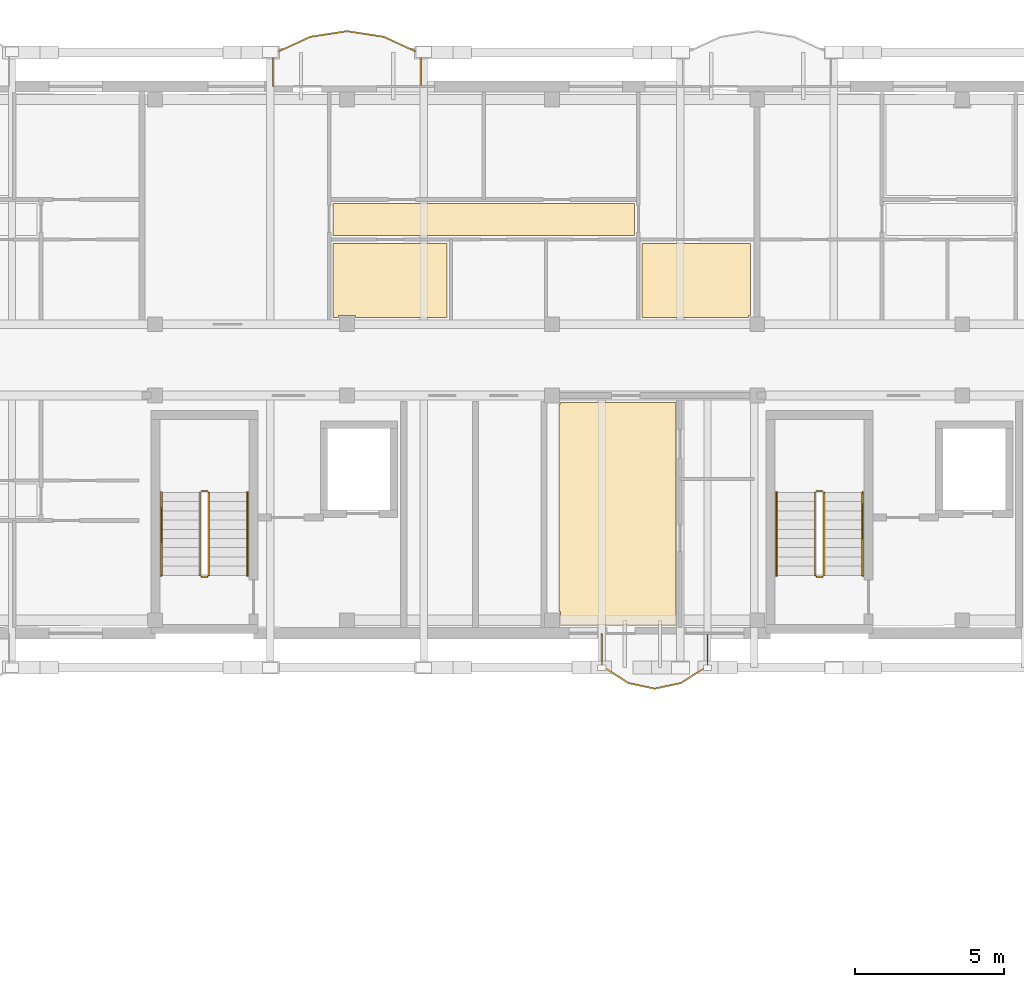
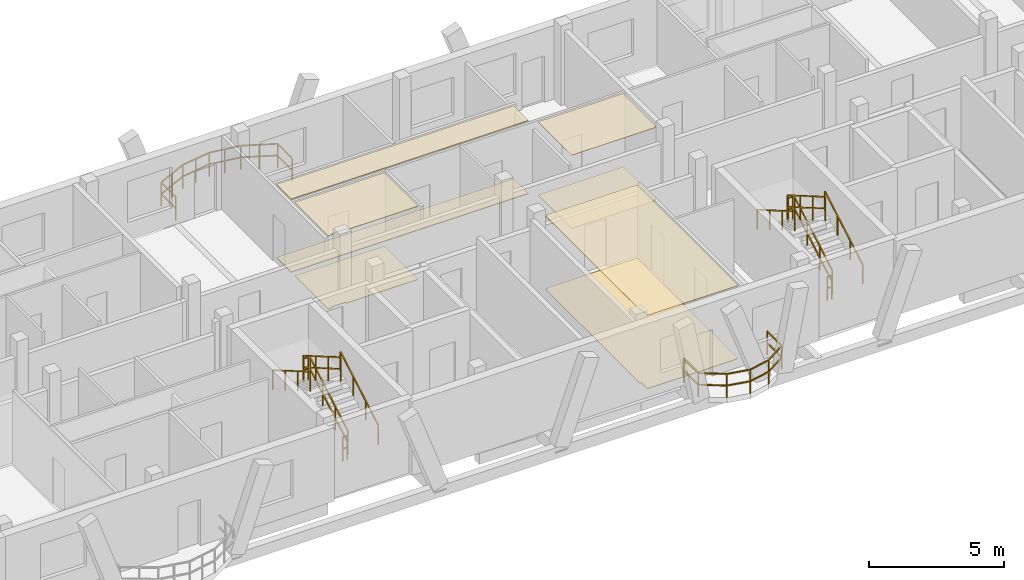
# One storey, part 188 of 189: 14 railings, 8 coverings.
"""IFC4 building model written with IfcOpenShell, lengths in metres."""

from ifc_helpers import new_model, si_unit, direction, frame, origin, origin_2d, place, context, subcontext, project, spatial, polyline, rectangle, outline, extrude, material, layer, layer_set, type_object, element, save


model = new_model("IFC4")

# Units and contexts
model_context = context("Model", 3, precision=1e-05, world=origin(), true_north=direction((0.0, 1.0)))
body_context = subcontext(model_context, "Body", "Model", "MODEL_VIEW")
ifc_project = project(units=[si_unit("LENGTHUNIT", "METRE"), si_unit("AREAUNIT", "SQUARE_METRE"), si_unit("VOLUMEUNIT", "CUBIC_METRE"), si_unit("PLANEANGLEUNIT", "RADIAN"), si_unit("MASSUNIT", "GRAM", prefix="KILO")], contexts=[model_context])

# Site, building, storey
site_placement = place(None, origin())
site = spatial("IfcSite", under=ifc_project, at=site_placement, CompositionType="ELEMENT")
building_placement = place(site_placement, origin())
building = spatial("IfcBuilding", under=site, at=building_placement, Name="Zavelmont Quarter", CompositionType="ELEMENT")
storey_placement = place(building_placement, frame((0.0, 0.0, 4.39990234375)))
storey = spatial("IfcBuildingStorey", under=building, at=storey_placement, Name="L01", CompositionType="ELEMENT", Elevation=4.39990234375)

# Coverings
ifc_material_1 = material(Name="Perforated acoustic gypsum board")
ifc_layer_1 = layer(ifc_material_1, 0.02490234375)
ifc_layer_set_1 = layer_set([ifc_layer_1], Name="Perforated acoustic gypsum board")
covering_type_1 = type_object("IfcCoveringType", Name="CV-CL01", PredefinedType="CEILING", material=ifc_layer_set_1)
covering_1_placement = place(storey_placement, frame((0.0, 0.0, 3.30517578125)))
element("IfcCovering", 1, at=covering_1_placement, inside=storey, type_object=covering_type_1, Name="L01 Kitchen acoustic ceiling", PredefinedType="CEILING", context=body_context, shape_type="SweptSolid", body=[
    extrude(outline(polyline([(133.030029296875, 110.719970703125), (136.8701171875, 110.719970703125), (136.8701171875, 108.22998046875), (133.7900390625, 108.22998046875), (133.7900390625, 108.2900390625), (133.2099609375, 108.2900390625), (133.2099609375, 108.22998046875), (133.030029296875, 108.22998046875), (133.030029296875, 110.719970703125)])), origin(), (0.0, 0.0, 1.0), 0.02490234375),
])
covering_2_placement = place(storey_placement, frame((0.0, 0.0, 3.30517578125)))
element("IfcCovering", 2, at=covering_2_placement, inside=storey, type_object=covering_type_1, Name="L01 Residents Study Lounge acoustic ceiling", PredefinedType="CEILING", context=body_context, shape_type="SweptSolid", body=[
    extrude(outline(polyline([(140.6298828125, 105.31005859375), (140.68994140625, 105.31005859375), (140.68994140625, 105.3701171875), (144.570068359375, 105.3701171875), (144.570068359375, 97.8798828125), (140.68994140625, 97.8798828125), (140.68994140625, 98.330078125), (140.6298828125, 98.330078125), (140.6298828125, 105.31005859375)])), origin(), (0.0, 0.0, 1.0), 0.02490234375),
])
ifc_material_2 = material(Name="Slatted European ash acoustic baffle ceiling")
ifc_layer_2 = layer(ifc_material_2, 0.0400390625)
ifc_layer_set_2 = layer_set([ifc_layer_2], Name="Slatted European ash acoustic baffle ceiling")
covering_type_2 = type_object("IfcCoveringType", Name="CV-CL02", PredefinedType="CEILING", material=ifc_layer_set_2)
covering_3_placement = place(storey_placement, frame((0.0, 0.0, 3.2900390625)))
element("IfcCovering", 3, at=covering_3_placement, inside=storey, type_object=covering_type_2, Name="L01 Apartment Hall acoustic ceiling", PredefinedType="CEILING", context=body_context, shape_type="SweptSolid", body=[
    extrude(outline(polyline([(133.030029296875, 112.070068359375), (143.169921875, 112.070068359375), (143.169921875, 110.97998046875), (133.030029296875, 110.97998046875), (133.030029296875, 112.070068359375)])), origin(), (0.0, 0.0, 1.0), 0.0400390625),
])
ifc_material_3 = material(Name="Moisture-resistant painted gypsum ceiling")
ifc_layer_3 = layer(ifc_material_3, 0.02001953125)
ifc_layer_set_3 = layer_set([ifc_layer_3], Name="Moisture-resistant painted gypsum ceiling")
covering_type_3 = type_object("IfcCoveringType", Name="CV-CL04", PredefinedType="CEILING", material=ifc_layer_set_3)
covering_4_placement = place(storey_placement, frame((0.0, 0.0, 3.31005859375)))
element("IfcCovering", 4, at=covering_4_placement, inside=storey, type_object=covering_type_3, Name="L01 Bathroom acoustic ceiling", PredefinedType="CEILING", context=body_context, shape_type="SweptSolid", body=[
    extrude(outline(polyline([(143.429931640625, 110.719970703125), (147.070068359375, 110.719970703125), (147.070068359375, 108.2900390625), (147.010009765625, 108.2900390625), (147.010009765625, 108.22998046875), (143.429931640625, 108.22998046875), (143.429931640625, 110.719970703125)])), origin(), (0.0, 0.0, 1.0), 0.02001953125),
])
ifc_material_4 = material(Name="Engineered European oak parquet")
ifc_layer_4 = layer(ifc_material_4, 0.02197265625)
ifc_layer_set_4 = layer_set([ifc_layer_4], Name="Engineered European oak parquet")
covering_type_4 = type_object("IfcCoveringType", Name="CV-FL01", PredefinedType="FLOORING", material=ifc_layer_set_4)
covering_5_placement = place(storey_placement, origin())
element("IfcCovering", 5, at=covering_5_placement, inside=storey, type_object=covering_type_4, Name="L01 Kitchen floor finish", PredefinedType="FLOORING", context=body_context, shape_type="SweptSolid", body=[
    extrude(outline(polyline([(133.030029296875, 110.719970703125), (136.8701171875, 110.719970703125), (136.8701171875, 108.22998046875), (133.7900390625, 108.22998046875), (133.7900390625, 108.2900390625), (133.2099609375, 108.2900390625), (133.2099609375, 108.22998046875), (133.030029296875, 108.22998046875), (133.030029296875, 110.719970703125)])), origin(), (0.0, 0.0, 1.0), 0.022216796875),
])
covering_6_placement = place(storey_placement, origin())
element("IfcCovering", 6, at=covering_6_placement, inside=storey, type_object=covering_type_4, Name="L01 Residents Study Lounge floor finish", PredefinedType="FLOORING", context=body_context, shape_type="SweptSolid", body=[
    extrude(outline(polyline([(140.6298828125, 105.31005859375), (140.68994140625, 105.31005859375), (140.68994140625, 105.3701171875), (144.570068359375, 105.3701171875), (144.570068359375, 97.8798828125), (140.68994140625, 97.8798828125), (140.68994140625, 98.330078125), (140.6298828125, 98.330078125), (140.6298828125, 105.31005859375)])), origin(), (0.0, 0.0, 1.0), 0.022216796875),
])
ifc_material_5 = material(Name="Honed Belgian bluestone tile", Category="masonry")
ifc_layer_5 = layer(ifc_material_5, 0.030029296875)
ifc_layer_set_5 = layer_set([ifc_layer_5], Name="Honed Belgian bluestone tile")
covering_type_5 = type_object("IfcCoveringType", Name="CV-FL02", PredefinedType="FLOORING", material=ifc_layer_set_5)
covering_7_placement = place(storey_placement, origin())
element("IfcCovering", 7, at=covering_7_placement, inside=storey, type_object=covering_type_5, Name="L01 Apartment Hall floor finish", PredefinedType="FLOORING", context=body_context, shape_type="SweptSolid", body=[
    extrude(outline(polyline([(133.030029296875, 112.070068359375), (143.169921875, 112.070068359375), (143.169921875, 110.97998046875), (133.030029296875, 110.97998046875), (133.030029296875, 112.070068359375)])), origin(), (0.0, 0.0, 1.0), 0.030029296875),
])
ifc_material_6 = material(Name="Slip-resistant porcelain tile")
ifc_layer_6 = layer(ifc_material_6, 0.02587890625)
ifc_layer_set_6 = layer_set([ifc_layer_6], Name="Slip-resistant porcelain tile")
covering_type_6 = type_object("IfcCoveringType", Name="CV-FL04", PredefinedType="FLOORING", material=ifc_layer_set_6)
covering_8_placement = place(storey_placement, origin())
element("IfcCovering", 8, at=covering_8_placement, inside=storey, type_object=covering_type_6, Name="L01 Bathroom floor finish", PredefinedType="FLOORING", context=body_context, shape_type="SweptSolid", body=[
    extrude(outline(polyline([(143.429931640625, 110.719970703125), (147.070068359375, 110.719970703125), (147.070068359375, 108.2900390625), (147.010009765625, 108.2900390625), (147.010009765625, 108.22998046875), (143.429931640625, 108.22998046875), (143.429931640625, 110.719970703125)])), origin(), (0.0, 0.0, 1.0), 0.026123046875),
])

# Railings
ifc_material_7 = material(Name="Powder-coated steel and tempered double safety glass", Category="steel")
railing_type_1 = type_object("IfcRailingType", Name="RL-BAL1", PredefinedType="BALUSTRADE", material=ifc_material_7)
railing_1_placement = place(storey_placement, frame((135.982177734375, 116.02001953125, 0.0)))
element("IfcRailing", 9, at=railing_1_placement, inside=storey, type_object=railing_type_1, Name="L01 Block C curved balcony guard RL-BAL1", PredefinedType="BALUSTRADE", context=body_context, shape_type="SweptSolid", body=[
    extrude(rectangle(XDim=0.048095703125, YDim=0.048095703125, at=origin_2d()), frame((0.0, 0.0, 1.076171875), z_axis=(0.0, 1.0, 0.0), x_axis=(-1.0, 0.0, 0.0)), (0.0, 0.0, 1.0), 1.080078125),
    extrude(rectangle(XDim=0.048095703125, YDim=0.048095703125, at=origin_2d()), frame((0.0, 0.0, 0.550048828125), z_axis=(0.0, 1.0, 0.0), x_axis=(-1.0, 0.0, 0.0)), (0.0, 0.0, 1.0), 1.080078125),
    extrude(rectangle(XDim=0.048095703125, YDim=0.048095703125, at=origin_2d()), frame((0.0, 1.080078125, 1.076171875), z_axis=(-0.907891412378, 0.419205419014, 0.0), x_axis=(-0.419205419014, -0.907891412378, 0.0)), (0.0, 0.0, 1.0), 1.366943359375),
    extrude(rectangle(XDim=0.048095703125, YDim=0.048095703125, at=origin_2d()), frame((0.0, 1.080078125, 0.550048828125), z_axis=(-0.907891412378, 0.419205419014, 0.0), x_axis=(-0.419205419014, -0.907891412378, 0.0)), (0.0, 0.0, 1.0), 1.366943359375),
    extrude(rectangle(XDim=0.048095703125, YDim=0.048095703125, at=origin_2d()), frame((-1.240966796875, 1.653076171875, 1.076171875), z_axis=(-0.988376192228, 0.152027966625, 0.0), x_axis=(-0.152027966625, -0.988376192228, 0.0)), (0.0, 0.0, 1.0), 1.255859375),
    extrude(rectangle(XDim=0.048095703125, YDim=0.048095703125, at=origin_2d()), frame((-1.240966796875, 1.653076171875, 0.550048828125), z_axis=(-0.988376192228, 0.152027966625, 0.0), x_axis=(-0.152027966625, -0.988376192228, 0.0)), (0.0, 0.0, 1.0), 1.255859375),
    extrude(rectangle(XDim=0.048095703125, YDim=0.048095703125, at=origin_2d()), frame((-2.482177734375, 1.843994140625, 1.076171875), z_axis=(-0.988376192228, -0.152027966625, 0.0), x_axis=(0.152027966625, -0.988376192228, 0.0)), (0.0, 0.0, 1.0), 1.255859375),
    extrude(rectangle(XDim=0.048095703125, YDim=0.048095703125, at=origin_2d()), frame((-2.482177734375, 1.843994140625, 0.550048828125), z_axis=(-0.988376192228, -0.152027966625, 0.0), x_axis=(0.152027966625, -0.988376192228, 0.0)), (0.0, 0.0, 1.0), 1.255859375),
    extrude(rectangle(XDim=0.048095703125, YDim=0.048095703125, at=origin_2d()), frame((-3.723388671875, 1.653076171875, 1.076171875), z_axis=(-0.907891412378, -0.419205419014, 0.0), x_axis=(0.419205419014, -0.907891412378, 0.0)), (0.0, 0.0, 1.0), 1.366943359375),
    extrude(rectangle(XDim=0.048095703125, YDim=0.048095703125, at=origin_2d()), frame((-3.723388671875, 1.653076171875, 0.550048828125), z_axis=(-0.907891412378, -0.419205419014, 0.0), x_axis=(0.419205419014, -0.907891412378, 0.0)), (0.0, 0.0, 1.0), 1.366943359375),
    extrude(rectangle(XDim=0.048095703125, YDim=0.048095703125, at=origin_2d()), frame((-4.96435546875, 1.080078125, 1.076171875), z_axis=(0.0, -1.0, 0.0), x_axis=(1.0, 0.0, 0.0)), (0.0, 0.0, 1.0), 1.080078125),
    extrude(rectangle(XDim=0.048095703125, YDim=0.048095703125, at=origin_2d()), frame((-4.96435546875, 1.080078125, 0.550048828125), z_axis=(0.0, -1.0, 0.0), x_axis=(1.0, 0.0, 0.0)), (0.0, 0.0, 1.0), 1.080078125),
    extrude(rectangle(XDim=0.0419921875, YDim=0.0419921875, at=origin_2d()), origin(), (0.0, 0.0, 1.0), 1.052001953125),
    extrude(rectangle(XDim=0.0419921875, YDim=0.0419921875, at=origin_2d()), frame((0.0, 1.080078125, 0.0)), (0.0, 0.0, 1.0), 1.052001953125),
    extrude(rectangle(XDim=0.0419921875, YDim=0.0419921875, at=origin_2d()), frame((-0.62060546875, 1.36669921875, 0.0)), (0.0, 0.0, 1.0), 1.052001953125),
    extrude(rectangle(XDim=0.0419921875, YDim=0.0419921875, at=origin_2d()), frame((-1.240966796875, 1.653076171875, 0.0)), (0.0, 0.0, 1.0), 1.052001953125),
    extrude(rectangle(XDim=0.0419921875, YDim=0.0419921875, at=origin_2d()), frame((-1.861572265625, 1.74853515625, 0.0)), (0.0, 0.0, 1.0), 1.052001953125),
    extrude(rectangle(XDim=0.0419921875, YDim=0.0419921875, at=origin_2d()), frame((-2.482177734375, 1.843994140625, 0.0)), (0.0, 0.0, 1.0), 1.052001953125),
    extrude(rectangle(XDim=0.0419921875, YDim=0.0419921875, at=origin_2d()), frame((-3.102783203125, 1.74853515625, 0.0)), (0.0, 0.0, 1.0), 1.052001953125),
    extrude(rectangle(XDim=0.0419921875, YDim=0.0419921875, at=origin_2d()), frame((-3.723388671875, 1.653076171875, 0.0)), (0.0, 0.0, 1.0), 1.052001953125),
    extrude(rectangle(XDim=0.0419921875, YDim=0.0419921875, at=origin_2d()), frame((-4.34375, 1.36669921875, 0.0)), (0.0, 0.0, 1.0), 1.052001953125),
    extrude(rectangle(XDim=0.0419921875, YDim=0.0419921875, at=origin_2d()), frame((-4.96435546875, 1.080078125, 0.0)), (0.0, 0.0, 1.0), 1.052001953125),
    extrude(rectangle(XDim=0.0419921875, YDim=0.0419921875, at=origin_2d()), frame((-4.96435546875, 0.0, 0.0)), (0.0, 0.0, 1.0), 1.052001953125),
])
railing_2_placement = place(storey_placement, frame((142.072021484375, 97.580078125, 0.0)))
element("IfcRailing", 10, at=railing_2_placement, inside=storey, type_object=railing_type_1, Name="L01 Block C curved balcony guard RL-BAL1", PredefinedType="BALUSTRADE", context=body_context, shape_type="SweptSolid", body=[
    extrude(rectangle(XDim=0.048095703125, YDim=0.048095703125, at=origin_2d()), frame((0.0, 0.0, 1.076171875), z_axis=(0.0, -1.0, 0.0), x_axis=(1.0, 0.0, 0.0)), (0.0, 0.0, 1.0), 1.080078125),
    extrude(rectangle(XDim=0.048095703125, YDim=0.048095703125, at=origin_2d()), frame((0.0, 0.0, 0.550048828125), z_axis=(0.0, -1.0, 0.0), x_axis=(1.0, 0.0, 0.0)), (0.0, 0.0, 1.0), 1.080078125),
    extrude(rectangle(XDim=0.048095703125, YDim=0.048095703125, at=origin_2d()), frame((0.0, -1.080078125, 1.076171875), z_axis=(0.84051029782, -0.541795569619, 0.0), x_axis=(0.541795569619, 0.84051029782, 0.0)), (0.0, 0.0, 1.0), 1.0576171875),
    extrude(rectangle(XDim=0.048095703125, YDim=0.048095703125, at=origin_2d()), frame((0.0, -1.080078125, 0.550048828125), z_axis=(0.84051029782, -0.541795569619, 0.0), x_axis=(0.541795569619, 0.84051029782, 0.0)), (0.0, 0.0, 1.0), 1.0576171875),
    extrude(rectangle(XDim=0.048095703125, YDim=0.048095703125, at=origin_2d()), frame((0.888916015625, -1.653076171875, 1.076171875), z_axis=(0.977715901229, -0.209932409325, 0.0), x_axis=(0.209932409325, 0.977715901229, 0.0)), (0.0, 0.0, 1.0), 0.909423828125),
    extrude(rectangle(XDim=0.048095703125, YDim=0.048095703125, at=origin_2d()), frame((0.888916015625, -1.653076171875, 0.550048828125), z_axis=(0.977715901229, -0.209932409325, 0.0), x_axis=(0.209932409325, 0.977715901229, 0.0)), (0.0, 0.0, 1.0), 0.909423828125),
    extrude(rectangle(XDim=0.048095703125, YDim=0.048095703125, at=origin_2d()), frame((1.778076171875, -1.843994140625, 1.076171875), z_axis=(0.977704065289, 0.209987525146, 0.0), x_axis=(-0.209987525146, 0.977704065289, 0.0)), (0.0, 0.0, 1.0), 0.9091796875),
    extrude(rectangle(XDim=0.048095703125, YDim=0.048095703125, at=origin_2d()), frame((1.778076171875, -1.843994140625, 0.550048828125), z_axis=(0.977704065289, 0.209987525146, 0.0), x_axis=(-0.209987525146, 0.977704065289, 0.0)), (0.0, 0.0, 1.0), 0.9091796875),
    extrude(rectangle(XDim=0.048095703125, YDim=0.048095703125, at=origin_2d()), frame((2.6669921875, -1.653076171875, 1.076171875), z_axis=(0.840578041201, 0.541690462026, 0.0), x_axis=(-0.541690462026, 0.840578041201, 0.0)), (0.0, 0.0, 1.0), 1.057861328125),
    extrude(rectangle(XDim=0.048095703125, YDim=0.048095703125, at=origin_2d()), frame((2.6669921875, -1.653076171875, 0.550048828125), z_axis=(0.840578041201, 0.541690462026, 0.0), x_axis=(-0.541690462026, 0.840578041201, 0.0)), (0.0, 0.0, 1.0), 1.057861328125),
    extrude(rectangle(XDim=0.048095703125, YDim=0.048095703125, at=origin_2d()), frame((3.55615234375, -1.080078125, 1.076171875), z_axis=(0.0, 1.0, 0.0), x_axis=(-1.0, 0.0, 0.0)), (0.0, 0.0, 1.0), 1.080078125),
    extrude(rectangle(XDim=0.048095703125, YDim=0.048095703125, at=origin_2d()), frame((3.55615234375, -1.080078125, 0.550048828125), z_axis=(0.0, 1.0, 0.0), x_axis=(-1.0, 0.0, 0.0)), (0.0, 0.0, 1.0), 1.080078125),
    extrude(rectangle(XDim=0.0419921875, YDim=0.0419921875, at=origin_2d()), origin(), (0.0, 0.0, 1.0), 1.052001953125),
    extrude(rectangle(XDim=0.0419921875, YDim=0.0419921875, at=origin_2d()), frame((0.0, -1.080078125, 0.0)), (0.0, 0.0, 1.0), 1.052001953125),
    extrude(rectangle(XDim=0.0419921875, YDim=0.0419921875, at=origin_2d()), frame((0.888916015625, -1.653076171875, 0.0)), (0.0, 0.0, 1.0), 1.052001953125),
    extrude(rectangle(XDim=0.0419921875, YDim=0.0419921875, at=origin_2d()), frame((1.778076171875, -1.843994140625, 0.0)), (0.0, 0.0, 1.0), 1.052001953125),
    extrude(rectangle(XDim=0.0419921875, YDim=0.0419921875, at=origin_2d()), frame((2.6669921875, -1.653076171875, 0.0)), (0.0, 0.0, 1.0), 1.052001953125),
    extrude(rectangle(XDim=0.0419921875, YDim=0.0419921875, at=origin_2d()), frame((3.55615234375, -1.080078125, 0.0)), (0.0, 0.0, 1.0), 1.052001953125),
    extrude(rectangle(XDim=0.0419921875, YDim=0.0419921875, at=origin_2d()), frame((3.55615234375, 0.0, 0.0)), (0.0, 0.0, 1.0), 1.052001953125),
])
ifc_material_8 = material(Name="Powder-coated steel stair guardrail", Category="steel")
railing_type_2 = type_object("IfcRailingType", Name="RL-GRD1", PredefinedType="GUARDRAIL", material=ifc_material_8)
railing_3_placement = place(storey_placement, frame((128.85009765625, 99.550048828125, 0.18017578125)))
element("IfcRailing", 11, at=railing_3_placement, inside=storey, type_object=railing_type_2, Name="L01 ST05 stair guardrail 1", PredefinedType="GUARDRAIL", context=body_context, shape_type="SweptSolid", body=[
    extrude(rectangle(XDim=0.048095703125, YDim=0.048095703125, at=origin_2d()), frame((0.0, 0.0, 1.076171875), z_axis=(0.0, 0.864809086542, 0.502100830347), x_axis=(-1.0, 0.0, 0.0)), (0.0, 0.0, 1.0), 3.22607421875),
    extrude(rectangle(XDim=0.048095703125, YDim=0.048095703125, at=origin_2d()), frame((0.0, 0.0, 0.550048828125), z_axis=(0.0, 0.864809086542, 0.502100830347), x_axis=(-1.0, 0.0, 0.0)), (0.0, 0.0, 1.0), 3.22607421875),
    extrude(rectangle(XDim=0.0419921875, YDim=0.0419921875, at=origin_2d()), origin(), (0.0, 0.0, 1.0), 1.052001953125),
    extrude(rectangle(XDim=0.0419921875, YDim=0.0419921875, at=origin_2d()), frame((0.0, 0.929931640625, 0.5400390625)), (0.0, 0.0, 1.0), 1.052001953125),
    extrude(rectangle(XDim=0.0419921875, YDim=0.0419921875, at=origin_2d()), frame((0.0, 1.860107421875, 1.079833984375)), (0.0, 0.0, 1.0), 1.052001953125),
    extrude(rectangle(XDim=0.0419921875, YDim=0.0419921875, at=origin_2d()), frame((0.0, 2.7900390625, 1.619873046875)), (0.0, 0.0, 1.0), 1.052001953125),
])
railing_4_placement = place(storey_placement, frame((128.800048828125, 102.389892578125, 1.800048828125)))
element("IfcRailing", 12, at=railing_4_placement, inside=storey, type_object=railing_type_2, Name="L01 ST05 stair guardrail 2", PredefinedType="GUARDRAIL", context=body_context, shape_type="SweptSolid", body=[
    extrude(rectangle(XDim=0.048095703125, YDim=0.048095703125, at=origin_2d()), frame((0.0, 0.0, 1.076171875), z_axis=(-1.0, 0.0, 0.0), x_axis=(0.0, -1.0, 0.0)), (0.0, 0.0, 1.0), 0.199951171875),
    extrude(rectangle(XDim=0.048095703125, YDim=0.048095703125, at=origin_2d()), frame((0.0, 0.0, 0.550048828125), z_axis=(-1.0, 0.0, 0.0), x_axis=(0.0, -1.0, 0.0)), (0.0, 0.0, 1.0), 0.199951171875),
    extrude(rectangle(XDim=0.0419921875, YDim=0.0419921875, at=origin_2d()), origin(), (0.0, 0.0, 1.0), 1.052001953125),
    extrude(rectangle(XDim=0.0419921875, YDim=0.0419921875, at=origin_2d()), frame((-0.199951171875, 0.0, 0.0)), (0.0, 0.0, 1.0), 1.052001953125),
])
railing_5_placement = place(storey_placement, frame((128.550048828125, 102.340087890625, 1.97998046875)))
element("IfcRailing", 13, at=railing_5_placement, inside=storey, type_object=railing_type_2, Name="L01 ST05 stair guardrail 3", PredefinedType="GUARDRAIL", context=body_context, shape_type="SweptSolid", body=[
    extrude(rectangle(XDim=0.048095703125, YDim=0.048095703125, at=origin_2d()), frame((0.0, 0.0, 1.076171875), z_axis=(0.0, -0.86477622642, 0.502157423742), x_axis=(1.0, 0.0, 0.0)), (0.0, 0.0, 1.0), 3.226318359375),
    extrude(rectangle(XDim=0.048095703125, YDim=0.048095703125, at=origin_2d()), frame((0.0, 0.0, 0.550048828125), z_axis=(0.0, -0.86477622642, 0.502157423742), x_axis=(1.0, 0.0, 0.0)), (0.0, 0.0, 1.0), 3.226318359375),
    extrude(rectangle(XDim=0.0419921875, YDim=0.0419921875, at=origin_2d()), origin(), (0.0, 0.0, 1.0), 1.052001953125),
    extrude(rectangle(XDim=0.0419921875, YDim=0.0419921875, at=origin_2d()), frame((0.0, -0.929931640625, 0.5400390625)), (0.0, 0.0, 1.0), 1.052001953125),
    extrude(rectangle(XDim=0.0419921875, YDim=0.0419921875, at=origin_2d()), frame((0.0, -1.860107421875, 1.080078125)), (0.0, 0.0, 1.0), 1.052001953125),
    extrude(rectangle(XDim=0.0419921875, YDim=0.0419921875, at=origin_2d()), frame((0.0, -2.7900390625, 1.6201171875)), (0.0, 0.0, 1.0), 1.052001953125),
])
railing_6_placement = place(storey_placement, frame((128.800048828125, 99.5, 0.0)))
element("IfcRailing", 14, at=railing_6_placement, inside=storey, type_object=railing_type_2, Name="L01 ST05 stair guardrail 4", PredefinedType="GUARDRAIL", context=body_context, shape_type="SweptSolid", body=[
    extrude(rectangle(XDim=0.048095703125, YDim=0.048095703125, at=origin_2d()), frame((0.0, 0.0, 1.076171875), z_axis=(-1.0, 0.0, 0.0), x_axis=(0.0, -1.0, 0.0)), (0.0, 0.0, 1.0), 0.199951171875),
    extrude(rectangle(XDim=0.048095703125, YDim=0.048095703125, at=origin_2d()), frame((0.0, 0.0, 0.550048828125), z_axis=(-1.0, 0.0, 0.0), x_axis=(0.0, -1.0, 0.0)), (0.0, 0.0, 1.0), 0.199951171875),
    extrude(rectangle(XDim=0.0419921875, YDim=0.0419921875, at=origin_2d()), origin(), (0.0, 0.0, 1.0), 1.052001953125),
    extrude(rectangle(XDim=0.0419921875, YDim=0.0419921875, at=origin_2d()), frame((-0.199951171875, 0.0, 0.0)), (0.0, 0.0, 1.0), 1.052001953125),
])
railing_7_placement = place(storey_placement, frame((149.550048828125, 99.550048828125, 0.18017578125)))
element("IfcRailing", 15, at=railing_7_placement, inside=storey, type_object=railing_type_2, Name="L01 ST06 stair guardrail 1", PredefinedType="GUARDRAIL", context=body_context, shape_type="SweptSolid", body=[
    extrude(rectangle(XDim=0.048095703125, YDim=0.048095703125, at=origin_2d()), frame((0.0, 0.0, 1.076171875), z_axis=(0.0, 0.864809086542, 0.502100830347), x_axis=(-1.0, 0.0, 0.0)), (0.0, 0.0, 1.0), 3.22607421875),
    extrude(rectangle(XDim=0.048095703125, YDim=0.048095703125, at=origin_2d()), frame((0.0, 0.0, 0.550048828125), z_axis=(0.0, 0.864809086542, 0.502100830347), x_axis=(-1.0, 0.0, 0.0)), (0.0, 0.0, 1.0), 3.22607421875),
    extrude(rectangle(XDim=0.0419921875, YDim=0.0419921875, at=origin_2d()), origin(), (0.0, 0.0, 1.0), 1.052001953125),
    extrude(rectangle(XDim=0.0419921875, YDim=0.0419921875, at=origin_2d()), frame((0.0, 0.929931640625, 0.5400390625)), (0.0, 0.0, 1.0), 1.052001953125),
    extrude(rectangle(XDim=0.0419921875, YDim=0.0419921875, at=origin_2d()), frame((0.0, 1.860107421875, 1.079833984375)), (0.0, 0.0, 1.0), 1.052001953125),
    extrude(rectangle(XDim=0.0419921875, YDim=0.0419921875, at=origin_2d()), frame((0.0, 2.7900390625, 1.619873046875)), (0.0, 0.0, 1.0), 1.052001953125),
])
railing_8_placement = place(storey_placement, frame((149.5, 102.389892578125, 1.800048828125)))
element("IfcRailing", 16, at=railing_8_placement, inside=storey, type_object=railing_type_2, Name="L01 ST06 stair guardrail 2", PredefinedType="GUARDRAIL", context=body_context, shape_type="SweptSolid", body=[
    extrude(rectangle(XDim=0.048095703125, YDim=0.048095703125, at=origin_2d()), frame((0.0, 0.0, 1.076171875), z_axis=(-1.0, 0.0, 0.0), x_axis=(0.0, -1.0, 0.0)), (0.0, 0.0, 1.0), 0.199951171875),
    extrude(rectangle(XDim=0.048095703125, YDim=0.048095703125, at=origin_2d()), frame((0.0, 0.0, 0.550048828125), z_axis=(-1.0, 0.0, 0.0), x_axis=(0.0, -1.0, 0.0)), (0.0, 0.0, 1.0), 0.199951171875),
    extrude(rectangle(XDim=0.0419921875, YDim=0.0419921875, at=origin_2d()), origin(), (0.0, 0.0, 1.0), 1.052001953125),
    extrude(rectangle(XDim=0.0419921875, YDim=0.0419921875, at=origin_2d()), frame((-0.199951171875, 0.0, 0.0)), (0.0, 0.0, 1.0), 1.052001953125),
])
railing_9_placement = place(storey_placement, frame((149.25, 102.340087890625, 1.97998046875)))
element("IfcRailing", 17, at=railing_9_placement, inside=storey, type_object=railing_type_2, Name="L01 ST06 stair guardrail 3", PredefinedType="GUARDRAIL", context=body_context, shape_type="SweptSolid", body=[
    extrude(rectangle(XDim=0.048095703125, YDim=0.048095703125, at=origin_2d()), frame((0.0, 0.0, 1.076171875), z_axis=(0.0, -0.86477622642, 0.502157423742), x_axis=(1.0, 0.0, 0.0)), (0.0, 0.0, 1.0), 3.226318359375),
    extrude(rectangle(XDim=0.048095703125, YDim=0.048095703125, at=origin_2d()), frame((0.0, 0.0, 0.550048828125), z_axis=(0.0, -0.86477622642, 0.502157423742), x_axis=(1.0, 0.0, 0.0)), (0.0, 0.0, 1.0), 3.226318359375),
    extrude(rectangle(XDim=0.0419921875, YDim=0.0419921875, at=origin_2d()), origin(), (0.0, 0.0, 1.0), 1.052001953125),
    extrude(rectangle(XDim=0.0419921875, YDim=0.0419921875, at=origin_2d()), frame((0.0, -0.929931640625, 0.5400390625)), (0.0, 0.0, 1.0), 1.052001953125),
    extrude(rectangle(XDim=0.0419921875, YDim=0.0419921875, at=origin_2d()), frame((0.0, -1.860107421875, 1.080078125)), (0.0, 0.0, 1.0), 1.052001953125),
    extrude(rectangle(XDim=0.0419921875, YDim=0.0419921875, at=origin_2d()), frame((0.0, -2.7900390625, 1.6201171875)), (0.0, 0.0, 1.0), 1.052001953125),
])
railing_10_placement = place(storey_placement, frame((149.5, 99.5, 0.0)))
element("IfcRailing", 18, at=railing_10_placement, inside=storey, type_object=railing_type_2, Name="L01 ST06 stair guardrail 4", PredefinedType="GUARDRAIL", context=body_context, shape_type="SweptSolid", body=[
    extrude(rectangle(XDim=0.048095703125, YDim=0.048095703125, at=origin_2d()), frame((0.0, 0.0, 1.076171875), z_axis=(-1.0, 0.0, 0.0), x_axis=(0.0, -1.0, 0.0)), (0.0, 0.0, 1.0), 0.199951171875),
    extrude(rectangle(XDim=0.048095703125, YDim=0.048095703125, at=origin_2d()), frame((0.0, 0.0, 0.550048828125), z_axis=(-1.0, 0.0, 0.0), x_axis=(0.0, -1.0, 0.0)), (0.0, 0.0, 1.0), 0.199951171875),
    extrude(rectangle(XDim=0.0419921875, YDim=0.0419921875, at=origin_2d()), origin(), (0.0, 0.0, 1.0), 1.052001953125),
    extrude(rectangle(XDim=0.0419921875, YDim=0.0419921875, at=origin_2d()), frame((-0.199951171875, 0.0, 0.0)), (0.0, 0.0, 1.0), 1.052001953125),
])
ifc_material_9 = material(Name="Brushed stainless-steel wall handrail", Category="steel")
railing_type_3 = type_object("IfcRailingType", Name="RL-HND1", PredefinedType="HANDRAIL", material=ifc_material_9)
railing_11_placement = place(storey_placement, frame((130.14990234375, 99.550048828125, 0.18017578125)))
element("IfcRailing", 19, at=railing_11_placement, inside=storey, type_object=railing_type_3, Name="L01 ST05 stair handrail 1", PredefinedType="HANDRAIL", context=body_context, shape_type="SweptSolid", body=[
    extrude(rectangle(XDim=0.048095703125, YDim=0.048095703125, at=origin_2d()), frame((0.0, 0.0, 0.8759765625), z_axis=(0.0, 0.864809086542, 0.502100830347), x_axis=(-1.0, 0.0, 0.0)), (0.0, 0.0, 1.0), 3.22607421875),
    extrude(rectangle(XDim=0.0419921875, YDim=0.0419921875, at=origin_2d()), origin(), (0.0, 0.0, 1.0), 0.851806640625),
    extrude(rectangle(XDim=0.0419921875, YDim=0.0419921875, at=origin_2d()), frame((0.0, 0.929931640625, 0.5400390625)), (0.0, 0.0, 1.0), 0.851806640625),
    extrude(rectangle(XDim=0.0419921875, YDim=0.0419921875, at=origin_2d()), frame((0.0, 1.860107421875, 1.079833984375)), (0.0, 0.0, 1.0), 0.851806640625),
    extrude(rectangle(XDim=0.0419921875, YDim=0.0419921875, at=origin_2d()), frame((0.0, 2.7900390625, 1.619873046875)), (0.0, 0.0, 1.0), 0.851806640625),
])
railing_12_placement = place(storey_placement, frame((127.25, 102.340087890625, 1.97998046875)))
element("IfcRailing", 20, at=railing_12_placement, inside=storey, type_object=railing_type_3, Name="L01 ST05 stair handrail 2", PredefinedType="HANDRAIL", context=body_context, shape_type="SweptSolid", body=[
    extrude(rectangle(XDim=0.048095703125, YDim=0.048095703125, at=origin_2d()), frame((0.0, 0.0, 0.8759765625), z_axis=(0.0, -0.86477622642, 0.502157423742), x_axis=(1.0, 0.0, 0.0)), (0.0, 0.0, 1.0), 3.226318359375),
    extrude(rectangle(XDim=0.0419921875, YDim=0.0419921875, at=origin_2d()), origin(), (0.0, 0.0, 1.0), 0.851806640625),
    extrude(rectangle(XDim=0.0419921875, YDim=0.0419921875, at=origin_2d()), frame((0.0, -0.929931640625, 0.5400390625)), (0.0, 0.0, 1.0), 0.851806640625),
    extrude(rectangle(XDim=0.0419921875, YDim=0.0419921875, at=origin_2d()), frame((0.0, -1.860107421875, 1.080078125)), (0.0, 0.0, 1.0), 0.851806640625),
    extrude(rectangle(XDim=0.0419921875, YDim=0.0419921875, at=origin_2d()), frame((0.0, -2.7900390625, 1.6201171875)), (0.0, 0.0, 1.0), 0.851806640625),
])
railing_13_placement = place(storey_placement, frame((150.85009765625, 99.550048828125, 0.18017578125)))
element("IfcRailing", 21, at=railing_13_placement, inside=storey, type_object=railing_type_3, Name="L01 ST06 stair handrail 1", PredefinedType="HANDRAIL", context=body_context, shape_type="SweptSolid", body=[
    extrude(rectangle(XDim=0.048095703125, YDim=0.048095703125, at=origin_2d()), frame((0.0, 0.0, 0.8759765625), z_axis=(0.0, 0.864809086542, 0.502100830347), x_axis=(-1.0, 0.0, 0.0)), (0.0, 0.0, 1.0), 3.22607421875),
    extrude(rectangle(XDim=0.0419921875, YDim=0.0419921875, at=origin_2d()), origin(), (0.0, 0.0, 1.0), 0.851806640625),
    extrude(rectangle(XDim=0.0419921875, YDim=0.0419921875, at=origin_2d()), frame((0.0, 0.929931640625, 0.5400390625)), (0.0, 0.0, 1.0), 0.851806640625),
    extrude(rectangle(XDim=0.0419921875, YDim=0.0419921875, at=origin_2d()), frame((0.0, 1.860107421875, 1.079833984375)), (0.0, 0.0, 1.0), 0.851806640625),
    extrude(rectangle(XDim=0.0419921875, YDim=0.0419921875, at=origin_2d()), frame((0.0, 2.7900390625, 1.619873046875)), (0.0, 0.0, 1.0), 0.851806640625),
])
railing_14_placement = place(storey_placement, frame((147.949951171875, 102.340087890625, 1.97998046875)))
element("IfcRailing", 22, at=railing_14_placement, inside=storey, type_object=railing_type_3, Name="L01 ST06 stair handrail 2", PredefinedType="HANDRAIL", context=body_context, shape_type="SweptSolid", body=[
    extrude(rectangle(XDim=0.048095703125, YDim=0.048095703125, at=origin_2d()), frame((0.0, 0.0, 0.8759765625), z_axis=(0.0, -0.86477622642, 0.502157423742), x_axis=(1.0, 0.0, 0.0)), (0.0, 0.0, 1.0), 3.226318359375),
    extrude(rectangle(XDim=0.0419921875, YDim=0.0419921875, at=origin_2d()), origin(), (0.0, 0.0, 1.0), 0.851806640625),
    extrude(rectangle(XDim=0.0419921875, YDim=0.0419921875, at=origin_2d()), frame((0.0, -0.929931640625, 0.5400390625)), (0.0, 0.0, 1.0), 0.851806640625),
    extrude(rectangle(XDim=0.0419921875, YDim=0.0419921875, at=origin_2d()), frame((0.0, -1.860107421875, 1.080078125)), (0.0, 0.0, 1.0), 0.851806640625),
    extrude(rectangle(XDim=0.0419921875, YDim=0.0419921875, at=origin_2d()), frame((0.0, -2.7900390625, 1.6201171875)), (0.0, 0.0, 1.0), 0.851806640625),
])

save(model, "model.ifc")
